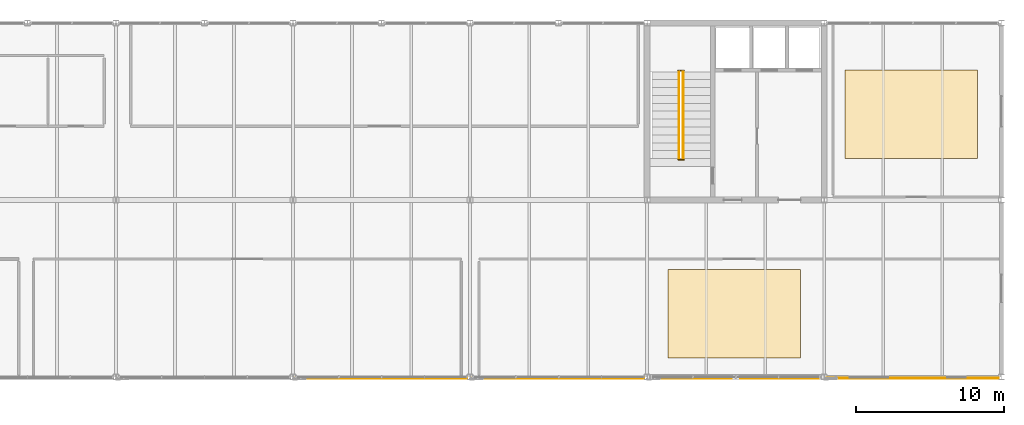
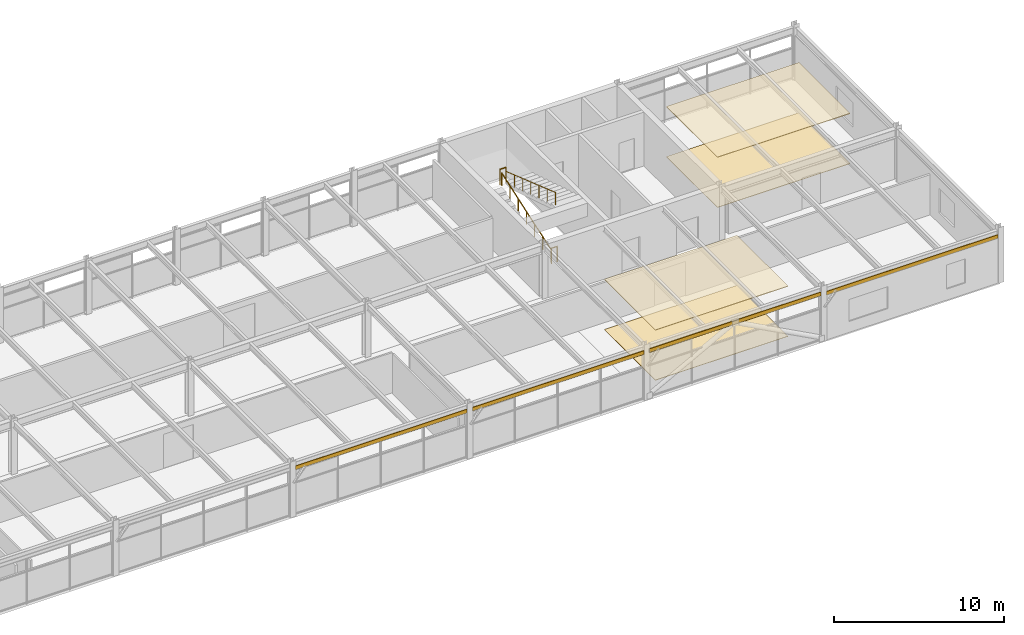
# One storey, part 40 of 40: 4 coverings, 4 railings, 4 shading devices.
"""IFC4 building model written with IfcOpenShell, lengths in metres."""

from ifc_helpers import new_model, si_unit, direction, frame, origin, origin_2d, place, context, subcontext, project, spatial, rectangle, circle, extrude, material, layer, layer_set, type_object, element, save


model = new_model("IFC4")

# Units and contexts
model_context = context("Model", 3, precision=1e-05, world=origin(), true_north=direction((0.0, 1.0)))
body_context = subcontext(model_context, "Body", "Model", "MODEL_VIEW")
ifc_project = project(units=[si_unit("LENGTHUNIT", "METRE"), si_unit("AREAUNIT", "SQUARE_METRE"), si_unit("VOLUMEUNIT", "CUBIC_METRE"), si_unit("PLANEANGLEUNIT", "RADIAN"), si_unit("MASSUNIT", "GRAM", prefix="KILO")], contexts=[model_context])

# Site, building, storey
site_placement = place(None, origin())
site = spatial("IfcSite", under=ifc_project, at=site_placement, CompositionType="ELEMENT")
building_placement = place(site_placement, origin())
building = spatial("IfcBuilding", under=site, at=building_placement, Name="Girod Span Mobility Hub", CompositionType="ELEMENT")
storey_placement = place(building_placement, frame((0.0, 0.0, 57.60009765625)))
storey = spatial("IfcBuildingStorey", under=building, at=storey_placement, Name="L14", CompositionType="ELEMENT", Elevation=57.60009765625)

# Coverings
ifc_material_1 = material(Name="Perforated Mineral-Fibre Acoustic Ceiling Tile", Category="mineral")
ifc_layer_1 = layer(ifc_material_1, 0.044921875)
ifc_layer_set_1 = layer_set([ifc_layer_1], Name="Perforated Mineral-Fibre Acoustic Ceiling Tile")
covering_type_1 = type_object("IfcCoveringType", Name="COV-CLG-900X600", PredefinedType="CEILING", material=ifc_layer_set_1)
for number, where, z_axis, x_axis, name in (
    (1, (113.89990234375, 49.300048828125, 3.5849609375), (0.0, 0.0, 1.0), (1.0, 0.0, 0.0), "Planning Studio Digital Twin Acoustic Ceiling"),
    (2, (125.89990234375, 62.800048828125, 3.5849609375), (0.0, 0.0, 1.0), (1.0, 0.0, 0.0), "Office Suite Research East Acoustic Ceiling"),
):
    element("IfcCovering", number, at=place(storey_placement, frame(where, z_axis=z_axis, x_axis=x_axis)), inside=storey, type_object=covering_type_1, Name=name, PredefinedType="CEILING", context=body_context, shape_type="SweptSolid", body=[
        extrude(rectangle(XDim=9.0, YDim=6.0, at=origin_2d()), origin(), (0.0, 0.0, 1.0), 0.044921875),
    ])
ifc_material_2 = material(Name="Epoxy Terrazzo and Raised Access Flooring", Category="polymer")
ifc_layer_2 = layer(ifc_material_2, 0.030029296875)
ifc_layer_set_2 = layer_set([ifc_layer_2], Name="Epoxy Terrazzo and Raised Access Flooring")
covering_type_2 = type_object("IfcCoveringType", Name="COV-FLR-900X600", PredefinedType="FLOORING", material=ifc_layer_set_2)
for number, where, z_axis, x_axis, name in (
    (3, (113.89990234375, 49.300048828125, 0.0), (0.0, 0.0, 1.0), (1.0, 0.0, 0.0), "Planning Studio Digital Twin Floor Finish"),
    (4, (125.89990234375, 62.800048828125, 0.0), (0.0, 0.0, 1.0), (1.0, 0.0, 0.0), "Office Suite Research East Floor Finish"),
):
    element("IfcCovering", number, at=place(storey_placement, frame(where, z_axis=z_axis, x_axis=x_axis)), inside=storey, type_object=covering_type_2, Name=name, PredefinedType="FLOORING", context=body_context, shape_type="SweptSolid", body=[
        extrude(rectangle(XDim=9.0, YDim=6.0, at=origin_2d()), origin(), (0.0, 0.0, 1.0), 0.030029296875),
    ])

# Railings
ifc_material_3 = material(Name="Painted Galvanised Steel", Category="steel")
ifc_layer_3 = layer(ifc_material_3, 0.06494140625)
ifc_layer_set_3 = layer_set([ifc_layer_3], Name="Painted Galvanised Steel")
railing_type_1 = type_object("IfcRailingType", Name="RL-GRD-1120", PredefinedType="GUARDRAIL", material=ifc_layer_set_3)
for number, where, name in (
    (5, (110.10009765625, 65.77001953125, 2.0), "Stair ST-2 Half-Landing Well Guard L14"),
    (6, (110.10009765625, 59.72998046875, 0.0), "Stair ST-2 Landing Well Guard L14"),
):
    element("IfcRailing", number, at=place(storey_placement, frame(where)), inside=storey, type_object=railing_type_1, Name=name, PredefinedType="GUARDRAIL", context=body_context, shape_type="SweptSolid", body=[
        extrude(circle(Radius=0.02392578125, at=origin_2d()), frame((0.0, 0.0, 1.09619140625), z_axis=(1.0, 0.0, 0.0), x_axis=(0.0, 1.0, 0.0)), (0.0, 0.0, 1.0), 0.39990234375),
        extrude(circle(Radius=0.02099609375, at=origin_2d()), origin(), (0.0, 0.0, 1.0), 1.072021484375),
        extrude(circle(Radius=0.02099609375, at=origin_2d()), frame((0.39990234375, 0.0, 0.0)), (0.0, 0.0, 1.0), 1.072021484375),
    ])
ifc_material_4 = material(Name="Painted Galvanised Steel", Category="steel")
ifc_layer_4 = layer(ifc_material_4, 0.050048828125)
ifc_layer_set_4 = layer_set([ifc_layer_4], Name="Painted Galvanised Steel")
railing_type_2 = type_object("IfcRailingType", Name="RL-HR-920", PredefinedType="HANDRAIL", material=ifc_layer_set_4)
railing_1_placement = place(storey_placement, frame((110.14990234375, 59.860107421875, 0.0)))
element("IfcRailing", 7, at=railing_1_placement, inside=storey, type_object=railing_type_2, Name="Stair ST-2 Flight 1 Handrail L14", PredefinedType="HANDRAIL", context=body_context, shape_type="SweptSolid", body=[
    extrude(circle(Radius=0.02392578125, at=origin_2d()), frame((0.0, 0.0, 0.89599609375), z_axis=(0.0, 0.945021187488, 0.327009105681), x_axis=(-1.0, 0.0, 0.0)), (0.0, 0.0, 1.0), 6.115966796875),
    extrude(circle(Radius=0.02099609375, at=origin_2d()), origin(), (0.0, 0.0, 1.0), 0.871826171875),
    extrude(circle(Radius=0.02099609375, at=origin_2d()), frame((0.0, 0.96337890625, 0.333251953125)), (0.0, 0.0, 1.0), 0.871826171875),
    extrude(circle(Radius=0.02099609375, at=origin_2d()), frame((0.0, 1.926513671875, 0.666748046875)), (0.0, 0.0, 1.0), 0.871826171875),
    extrude(circle(Radius=0.02099609375, at=origin_2d()), frame((0.0, 2.889892578125, 1.0)), (0.0, 0.0, 1.0), 0.871826171875),
    extrude(circle(Radius=0.02099609375, at=origin_2d()), frame((0.0, 3.853271484375, 1.333251953125)), (0.0, 0.0, 1.0), 0.871826171875),
    extrude(circle(Radius=0.02099609375, at=origin_2d()), frame((0.0, 4.81640625, 1.666748046875)), (0.0, 0.0, 1.0), 0.871826171875),
    extrude(circle(Radius=0.02099609375, at=origin_2d()), frame((0.0, 5.77978515625, 2.0)), (0.0, 0.0, 1.0), 0.871826171875),
])
railing_2_placement = place(storey_placement, frame((110.449951171875, 65.639892578125, 2.0)))
element("IfcRailing", 8, at=railing_2_placement, inside=storey, type_object=railing_type_2, Name="Stair ST-2 Flight 2 Handrail L14", PredefinedType="HANDRAIL", context=body_context, shape_type="SweptSolid", body=[
    extrude(circle(Radius=0.02392578125, at=origin_2d()), frame((0.0, 0.0, 0.89599609375), z_axis=(0.0, -0.945021187488, 0.327009105681), x_axis=(1.0, 0.0, 0.0)), (0.0, 0.0, 1.0), 6.115966796875),
    extrude(circle(Radius=0.02099609375, at=origin_2d()), origin(), (0.0, 0.0, 1.0), 0.871826171875),
    extrude(circle(Radius=0.02099609375, at=origin_2d()), frame((0.0, -0.96337890625, 0.333251953125)), (0.0, 0.0, 1.0), 0.871826171875),
    extrude(circle(Radius=0.02099609375, at=origin_2d()), frame((0.0, -1.926513671875, 0.666748046875)), (0.0, 0.0, 1.0), 0.871826171875),
    extrude(circle(Radius=0.02099609375, at=origin_2d()), frame((0.0, -2.889892578125, 1.0)), (0.0, 0.0, 1.0), 0.871826171875),
    extrude(circle(Radius=0.02099609375, at=origin_2d()), frame((0.0, -3.853271484375, 1.333251953125)), (0.0, 0.0, 1.0), 0.871826171875),
    extrude(circle(Radius=0.02099609375, at=origin_2d()), frame((0.0, -4.81640625, 1.666748046875)), (0.0, 0.0, 1.0), 0.871826171875),
    extrude(circle(Radius=0.02099609375, at=origin_2d()), frame((0.0, -5.77978515625, 2.0)), (0.0, 0.0, 1.0), 0.871826171875),
])

# Shading devices
ifc_material_5 = material(Name="Aluminium 6063-T6", Category="aluminium")
ifc_layer_5 = layer(ifc_material_5, 0.0458984375)
ifc_layer_set_5 = layer_set([ifc_layer_5], Name="Aluminium 6063-T6")
shading_device_type = type_object("IfcShadingDeviceType", Name="SHD-SHT-11635X260X46", PredefinedType="SHUTTER", material=ifc_layer_set_5)
for number, where, z_axis, x_axis, name in (
    (9, (90.0, 44.919921875, 3.2861328125), (0.0, 0.0, 1.0), (1.0, 0.0, 0.0), "External Solar Shading Blade 8 L14"),
    (10, (102.0, 44.919921875, 3.2861328125), (0.0, 0.0, 1.0), (1.0, 0.0, 0.0), "External Solar Shading Blade 9 L14"),
    (11, (114.0, 44.919921875, 3.2861328125), (0.0, 0.0, 1.0), (1.0, 0.0, 0.0), "External Solar Shading Blade 10 L14"),
    (12, (126.0, 44.919921875, 3.19580078125), (0.0, 0.0, 1.0), (1.0, 0.0, 0.0), "External Solar Shading Blade 11 L14"),
):
    element("IfcShadingDevice", number, at=place(storey_placement, frame(where, z_axis=z_axis, x_axis=x_axis)), inside=storey, type_object=shading_device_type, Name=name, PredefinedType="SHUTTER", context=body_context, shape_type="SweptSolid", body=[
        extrude(rectangle(XDim=11.635009765625, YDim=0.0458984375, at=origin_2d()), origin(), (0.0, 0.0, 1.0), 0.260009765625),
    ])

save(model, "model.ifc")
